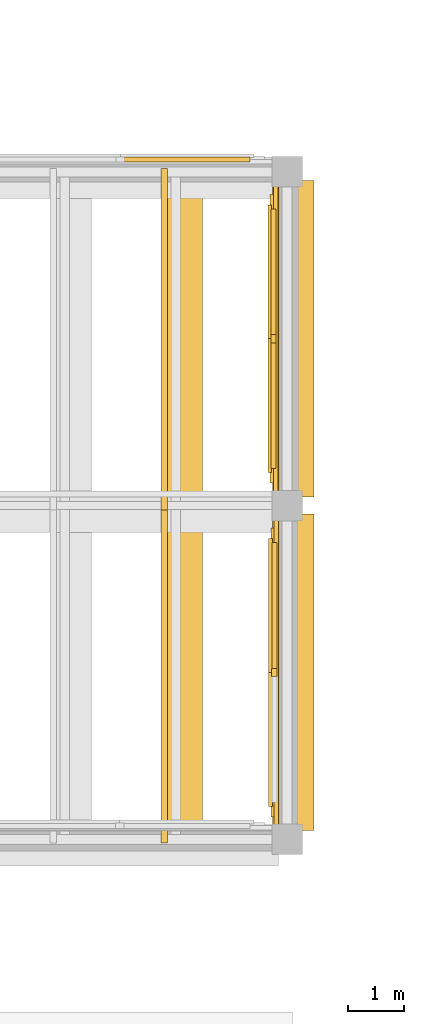
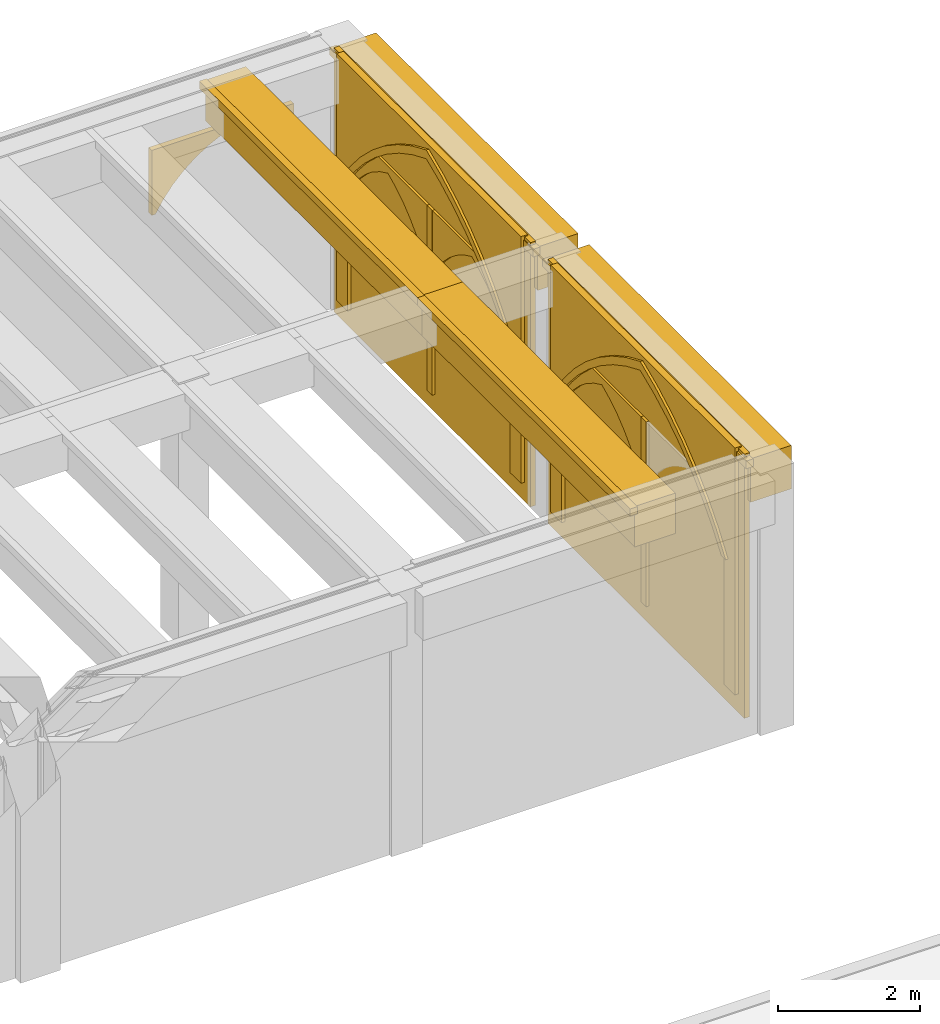
# One storey, part 127 of 127: 20 coverings.
"""IFC4 building model written with IfcOpenShell, lengths in metres."""

from ifc_helpers import new_model, si_unit, direction, frame, origin, origin_2d, place, context, subcontext, project, spatial, polyline, rectangle, outline, extrude, material, type_object, element, save


model = new_model("IFC4")

# Units and contexts
model_context = context("Model", 3, precision=1e-05, world=origin(), true_north=direction((0.0, 1.0)))
body_context = subcontext(model_context, "Body", "Model", "MODEL_VIEW")
ifc_project = project(units=[si_unit("LENGTHUNIT", "METRE"), si_unit("AREAUNIT", "SQUARE_METRE"), si_unit("VOLUMEUNIT", "CUBIC_METRE"), si_unit("PLANEANGLEUNIT", "RADIAN"), si_unit("MASSUNIT", "GRAM", prefix="KILO")], contexts=[model_context])

# Site, building, storey
site_placement = place(None, origin())
site = spatial("IfcSite", under=ifc_project, at=site_placement, CompositionType="ELEMENT")
building_placement = place(site_placement, origin())
building = spatial("IfcBuilding", under=site, at=building_placement, Name="Cumevento Cable Car Station", CompositionType="ELEMENT")
storey_placement = place(building_placement, frame((0.0, 0.0, 4.5)))
storey = spatial("IfcBuildingStorey", under=building, at=storey_placement, Name="L02", CompositionType="ELEMENT", Elevation=4.5)

# Coverings
ifc_material = material(Name="Gnaisse Facoidal Stone Ashlar 85 MPa", Category="masonry")
covering_type = type_object("IfcCoveringType", Name="Gnaisse Ashlar Cladding CV-CL01", PredefinedType="CLADDING", material=ifc_material)
covering_1_placement = place(storey_placement, frame((166.14990234375, 36.0, 3.722900390625), z_axis=(0.0, 0.0, 1.0), x_axis=(0.0, 1.0, 0.0)))
element("IfcCovering", 1, at=covering_1_placement, inside=storey, type_object=covering_type, Name="Gothic Stone Spandrel Stringcourse sc:0478", PredefinedType="CLADDING", context=body_context, shape_type="SweptSolid", body=[
    extrude(rectangle(XDim=5.68994140625, YDim=0.659912109375, at=origin_2d()), origin(), (0.0, 0.0, 1.0), 0.7470703125),
])
covering_2_placement = place(storey_placement, frame((165.79248046875, 36.0, 4.340087890625), z_axis=(0.0, 0.0, 1.0), x_axis=(0.0, 1.0, 0.0)))
element("IfcCovering", 2, at=covering_2_placement, inside=storey, type_object=covering_type, Name="Gothic Cornice Dripstone Lip sc:0478", PredefinedType="CLADDING", context=body_context, shape_type="SweptSolid", body=[
    extrude(rectangle(XDim=5.72998046875, YDim=0.114990234375, at=origin_2d()), origin(), (0.0, 0.0, 1.0), 0.1298828125),
])
covering_3_placement = place(storey_placement, frame((166.14990234375, 42.0, 3.722900390625), z_axis=(0.0, 0.0, 1.0), x_axis=(0.0, 1.0, 0.0)))
element("IfcCovering", 3, at=covering_3_placement, inside=storey, type_object=covering_type, Name="Gothic Stone Spandrel Stringcourse sc:0479", PredefinedType="CLADDING", context=body_context, shape_type="SweptSolid", body=[
    extrude(rectangle(XDim=5.68994140625, YDim=0.659912109375, at=origin_2d()), origin(), (0.0, 0.0, 1.0), 0.7470703125),
])
covering_4_placement = place(storey_placement, frame((165.79248046875, 42.0, 4.340087890625), z_axis=(0.0, 0.0, 1.0), x_axis=(0.0, 1.0, 0.0)))
element("IfcCovering", 4, at=covering_4_placement, inside=storey, type_object=covering_type, Name="Gothic Cornice Dripstone Lip sc:0479", PredefinedType="CLADDING", context=body_context, shape_type="SweptSolid", body=[
    extrude(rectangle(XDim=5.72998046875, YDim=0.114990234375, at=origin_2d()), origin(), (0.0, 0.0, 1.0), 0.1298828125),
])
covering_5_placement = place(storey_placement, frame((164.14990234375, 36.007568359375, 3.77490234375), z_axis=(0.0, 0.0, 1.0), x_axis=(0.0, 1.0, 0.0)))
element("IfcCovering", 5, at=covering_5_placement, inside=storey, type_object=covering_type, Name="Gothic Stone Spandrel Stringcourse sc:0570", PredefinedType="CLADDING", context=body_context, shape_type="SweptSolid", body=[
    extrude(rectangle(XDim=6.10107421875, YDim=0.659912109375, at=origin_2d()), origin(), (0.0, 0.0, 1.0), 0.695068359375),
])
covering_6_placement = place(storey_placement, frame((163.79248046875, 36.007568359375, 4.340087890625), z_axis=(0.0, 0.0, 1.0), x_axis=(0.0, 1.0, 0.0)))
element("IfcCovering", 6, at=covering_6_placement, inside=storey, type_object=covering_type, Name="Gothic Cornice Dripstone Lip sc:0570", PredefinedType="CLADDING", context=body_context, shape_type="SweptSolid", body=[
    extrude(rectangle(XDim=6.14111328125, YDim=0.114990234375, at=origin_2d()), origin(), (0.0, 0.0, 1.0), 0.1298828125),
])
covering_7_placement = place(storey_placement, frame((164.14990234375, 41.992431640625, 3.77490234375), z_axis=(0.0, 0.0, 1.0), x_axis=(0.0, 1.0, 0.0)))
element("IfcCovering", 7, at=covering_7_placement, inside=storey, type_object=covering_type, Name="Gothic Stone Spandrel Stringcourse sc:0571", PredefinedType="CLADDING", context=body_context, shape_type="SweptSolid", body=[
    extrude(rectangle(XDim=6.10107421875, YDim=0.659912109375, at=origin_2d()), origin(), (0.0, 0.0, 1.0), 0.695068359375),
])
covering_8_placement = place(storey_placement, frame((163.79248046875, 41.992431640625, 4.340087890625), z_axis=(0.0, 0.0, 1.0), x_axis=(0.0, 1.0, 0.0)))
element("IfcCovering", 8, at=covering_8_placement, inside=storey, type_object=covering_type, Name="Gothic Cornice Dripstone Lip sc:0571", PredefinedType="CLADDING", context=body_context, shape_type="SweptSolid", body=[
    extrude(rectangle(XDim=6.14111328125, YDim=0.114990234375, at=origin_2d()), origin(), (0.0, 0.0, 1.0), 0.1298828125),
])
covering_9_placement = place(storey_placement, frame((163.044921875, 45.0, 2.340087890625), z_axis=(0.0, 0.0, 1.0), x_axis=(1.0, 0.0, 0.0)))
element("IfcCovering", 9, at=covering_9_placement, inside=storey, type_object=covering_type, Name="Gothic Ogival Pointed-Arch Stone Spandrel blind_ogival:0097:sub:1", PredefinedType="CLADDING", context=body_context, shape_type="SweptSolid", body=[
    extrude(outline(polyline([(-0.02001953125, 0.0), (-0.02001953125, 1.115966796875), (2.2900390625, 1.115966796875), (2.2900390625, 0.0), (2.22998046875, 0.0), (2.0986328125, 0.21435546875), (1.944091796875, 0.412353515625), (1.767822265625, 0.591796875), (1.57275390625, 0.750244140625), (1.36083984375, 0.885498046875), (1.135009765625, 0.99609375), (0.9091796875, 0.885498046875), (0.697265625, 0.750244140625), (0.502197265625, 0.591796875), (0.325927734375, 0.412353515625), (0.17138671875, 0.21435546875), (0.0400390625, 0.0), (-0.02001953125, 0.0)])), frame((0.0, 0.263916015625, 0.0), z_axis=(0.0, -1.0, 0.0), x_axis=(1.0, 0.0, 0.0)), (0.0, 0.0, 1.0), 0.090087890625),
])
covering_10_placement = place(storey_placement, frame((166.0, 33.27490234375, 0.0), z_axis=(0.0, 0.0, 1.0), x_axis=(0.0, 1.0, 0.0)))
element("IfcCovering", 10, at=covering_10_placement, inside=storey, type_object=covering_type, Name="Exterior Gnaisse Stone Wall Ashlar #98", PredefinedType="CLADDING", context=body_context, shape_type="SweptSolid", body=[
    extrude(outline(polyline([(-0.0400390625, -0.02001953125), (5.489990234375, -0.02001953125), (5.489990234375, 4.52001953125), (-0.0400390625, 4.52001953125), (-0.0400390625, -0.02001953125)])), frame((0.0, 0.237548828125, 0.0), z_axis=(0.0, -1.0, 0.0), x_axis=(1.0, 0.0, 0.0)), (0.0, 0.0, 1.0), 0.0849609375),
])
placement_1 = place(storey_placement, frame((166.0, 33.455078125, 0.300048828125), z_axis=(0.0, 0.0, 1.0), x_axis=(0.0, 1.0, 0.0)))
element("IfcCovering", 11, at=placement_1, inside=storey, type_object=covering_type, Name="Gothic Ogival Pointed-Arch Stone Spandrel blind_ogival:0098", PredefinedType="CLADDING", context=body_context, shape_type="SweptSolid", body=[
    extrude(outline(polyline([(-0.050048828125, 0.0), (-0.050048828125, 4.239990234375), (5.139892578125, 4.239990234375), (5.139892578125, 0.0), (4.830078125, 0.0), (4.830078125, 2.219970703125), (4.577880859375, 2.558349609375), (4.297119140625, 2.873291015625), (3.98974609375, 3.16259765625), (3.658203125, 3.423583984375), (3.30517578125, 3.65478515625), (2.93310546875, 3.85400390625), (2.544921875, 4.02001953125), (2.156982421875, 3.85400390625), (1.784912109375, 3.65478515625), (1.431884765625, 3.423583984375), (1.100341796875, 3.16259765625), (0.79296875, 2.873291015625), (0.51220703125, 2.558349609375), (0.260009765625, 2.219970703125), (0.260009765625, 0.0), (-0.050048828125, 0.0)])), frame((0.0, 0.29248046875, 0.0), z_axis=(0.0, -1.0, 0.0), x_axis=(1.0, 0.0, 0.0)), (0.0, 0.0, 1.0), 0.110107421875),
])
covering_12_placement = place(storey_placement, frame((166.0, 33.455078125, 2.52001953125), z_axis=(0.0, 0.0, 1.0), x_axis=(0.0, 1.0, 0.0)))
element("IfcCovering", 12, at=covering_12_placement, inside=storey, type_object=covering_type, Name="Gothic Pointed Archivolt Hood Moulding blind_ogival:0098", PredefinedType="CLADDING", context=body_context, shape_type="SweptSolid", body=[
    extrude(outline(polyline([(0.260009765625, 0.0), (0.51220703125, 0.33837890625), (0.79296875, 0.6533203125), (1.100341796875, 0.942626953125), (1.431884765625, 1.20361328125), (1.784912109375, 1.434814453125), (2.156982421875, 1.634033203125), (2.544921875, 1.800048828125), (2.93310546875, 1.634033203125), (3.30517578125, 1.434814453125), (3.658203125, 1.20361328125), (3.98974609375, 0.942626953125), (4.297119140625, 0.6533203125), (4.577880859375, 0.33837890625), (4.830078125, 0.0), (4.950927734375, 0.0), (4.689453125, 0.36572265625), (4.396240234375, 0.706787109375), (4.07373046875, 1.020263671875), (3.724365234375, 1.303466796875), (3.351318359375, 1.554443359375), (2.95703125, 1.770751953125), (2.544921875, 1.951171875), (2.133056640625, 1.770751953125), (1.73876953125, 1.554443359375), (1.36572265625, 1.303466796875), (1.016357421875, 1.020263671875), (0.69384765625, 0.706787109375), (0.400634765625, 0.36572265625), (0.138916015625, 0.0), (0.260009765625, 0.0)])), frame((0.0, 0.33447265625, 0.0), z_axis=(0.0, -1.0, 0.0), x_axis=(1.0, 0.0, 0.0)), (0.0, 0.0, 1.0), 0.06689453125),
])
element("IfcCovering", 13, at=placement_1, inside=storey, type_object=covering_type, Name="Gothic Bifora Stone Colonnette blind_ogival:0098 #1", PredefinedType="CLADDING", context=body_context, shape_type="SweptSolid", body=[
    extrude(outline(polyline([(2.469970703125, -0.02001953125), (2.6201171875, -0.02001953125), (2.6201171875, 3.156005859375), (2.469970703125, 3.156005859375), (2.469970703125, -0.02001953125)])), frame((0.0, 0.280517578125, 0.0), z_axis=(0.0, -1.0, 0.0), x_axis=(1.0, 0.0, 0.0)), (0.0, 0.0, 1.0), 0.094970703125),
])
covering_14_placement = place(storey_placement, frame((166.0, 36.044921875, 2.340087890625), z_axis=(0.0, 0.0, 1.0), x_axis=(0.0, 1.0, 0.0)))
element("IfcCovering", 14, at=covering_14_placement, inside=storey, type_object=covering_type, Name="Gothic Ogival Pointed-Arch Stone Spandrel blind_ogival:0098:sub:1", PredefinedType="CLADDING", context=body_context, shape_type="SweptSolid", body=[
    extrude(outline(polyline([(-0.02001953125, 0.0), (-0.02001953125, 1.115966796875), (2.2900390625, 1.115966796875), (2.2900390625, 0.0), (2.22998046875, 0.0), (2.0986328125, 0.21435546875), (1.944091796875, 0.412353515625), (1.767822265625, 0.591796875), (1.57275390625, 0.750244140625), (1.36083984375, 0.885498046875), (1.135009765625, 0.99609375), (0.9091796875, 0.885498046875), (0.697265625, 0.750244140625), (0.502197265625, 0.591796875), (0.325927734375, 0.412353515625), (0.17138671875, 0.21435546875), (0.0400390625, 0.0), (-0.02001953125, 0.0)])), frame((0.0, 0.276611328125, 0.0), z_axis=(0.0, -1.0, 0.0), x_axis=(1.0, 0.0, 0.0)), (0.0, 0.0, 1.0), 0.090087890625),
])
covering_15_placement = place(storey_placement, frame((166.0, 39.27490234375, 0.0), z_axis=(0.0, 0.0, 1.0), x_axis=(0.0, 1.0, 0.0)))
element("IfcCovering", 15, at=covering_15_placement, inside=storey, type_object=covering_type, Name="Exterior Gnaisse Stone Wall Ashlar #99", PredefinedType="CLADDING", context=body_context, shape_type="SweptSolid", body=[
    extrude(outline(polyline([(-0.0400390625, -0.02001953125), (5.489990234375, -0.02001953125), (5.489990234375, 4.52001953125), (-0.0400390625, 4.52001953125), (-0.0400390625, -0.02001953125)])), frame((0.0, 0.25, 0.0), z_axis=(0.0, -1.0, 0.0), x_axis=(1.0, 0.0, 0.0)), (0.0, 0.0, 1.0), 0.0849609375),
])
placement_2 = place(storey_placement, frame((166.0, 39.455078125, 0.300048828125), z_axis=(0.0, 0.0, 1.0), x_axis=(0.0, 1.0, 0.0)))
element("IfcCovering", 16, at=placement_2, inside=storey, type_object=covering_type, Name="Gothic Ogival Pointed-Arch Stone Spandrel blind_ogival:0099", PredefinedType="CLADDING", context=body_context, shape_type="SweptSolid", body=[
    extrude(outline(polyline([(-0.050048828125, 0.0), (-0.050048828125, 4.239990234375), (5.139892578125, 4.239990234375), (5.139892578125, 0.0), (4.830078125, 0.0), (4.830078125, 2.219970703125), (4.577880859375, 2.558349609375), (4.297119140625, 2.873291015625), (3.98974609375, 3.16259765625), (3.658203125, 3.423583984375), (3.30517578125, 3.65478515625), (2.93310546875, 3.85400390625), (2.544921875, 4.02001953125), (2.156982421875, 3.85400390625), (1.784912109375, 3.65478515625), (1.431884765625, 3.423583984375), (1.100341796875, 3.16259765625), (0.79296875, 2.873291015625), (0.51220703125, 2.558349609375), (0.260009765625, 2.219970703125), (0.260009765625, 0.0), (-0.050048828125, 0.0)])), frame((0.0, 0.304931640625, 0.0), z_axis=(0.0, -1.0, 0.0), x_axis=(1.0, 0.0, 0.0)), (0.0, 0.0, 1.0), 0.110107421875),
])
covering_17_placement = place(storey_placement, frame((166.0, 39.455078125, 2.52001953125), z_axis=(0.0, 0.0, 1.0), x_axis=(0.0, 1.0, 0.0)))
element("IfcCovering", 17, at=covering_17_placement, inside=storey, type_object=covering_type, Name="Gothic Pointed Archivolt Hood Moulding blind_ogival:0099", PredefinedType="CLADDING", context=body_context, shape_type="SweptSolid", body=[
    extrude(outline(polyline([(0.260009765625, 0.0), (0.51220703125, 0.33837890625), (0.79296875, 0.6533203125), (1.100341796875, 0.942626953125), (1.431884765625, 1.20361328125), (1.784912109375, 1.434814453125), (2.156982421875, 1.634033203125), (2.544921875, 1.800048828125), (2.93310546875, 1.634033203125), (3.30517578125, 1.434814453125), (3.658203125, 1.20361328125), (3.98974609375, 0.942626953125), (4.297119140625, 0.6533203125), (4.577880859375, 0.33837890625), (4.830078125, 0.0), (4.950927734375, 0.0), (4.689453125, 0.36572265625), (4.396240234375, 0.706787109375), (4.07373046875, 1.020263671875), (3.724365234375, 1.303466796875), (3.351318359375, 1.554443359375), (2.95703125, 1.770751953125), (2.544921875, 1.951171875), (2.133056640625, 1.770751953125), (1.73876953125, 1.554443359375), (1.36572265625, 1.303466796875), (1.016357421875, 1.020263671875), (0.69384765625, 0.706787109375), (0.400634765625, 0.36572265625), (0.138916015625, 0.0), (0.260009765625, 0.0)])), frame((0.0, 0.346923828125, 0.0), z_axis=(0.0, -1.0, 0.0), x_axis=(1.0, 0.0, 0.0)), (0.0, 0.0, 1.0), 0.06689453125),
])
element("IfcCovering", 18, at=placement_2, inside=storey, type_object=covering_type, Name="Gothic Bifora Stone Colonnette blind_ogival:0099 #1", PredefinedType="CLADDING", context=body_context, shape_type="SweptSolid", body=[
    extrude(outline(polyline([(2.469970703125, -0.02001953125), (2.6201171875, -0.02001953125), (2.6201171875, 3.156005859375), (2.469970703125, 3.156005859375), (2.469970703125, -0.02001953125)])), frame((0.0, 0.29296875, 0.0), z_axis=(0.0, -1.0, 0.0), x_axis=(1.0, 0.0, 0.0)), (0.0, 0.0, 1.0), 0.094970703125),
])
for number, where, z_axis, x_axis, name in (
    (19, (166.0, 39.68505859375, 2.340087890625), (0.0, 0.0, 1.0), (0.0, 1.0, 0.0), "Gothic Ogival Pointed-Arch Stone Spandrel blind_ogival:0099:sub:0"),
    (20, (166.0, 42.044921875, 2.340087890625), (0.0, 0.0, 1.0), (0.0, 1.0, 0.0), "Gothic Ogival Pointed-Arch Stone Spandrel blind_ogival:0099:sub:1"),
):
    element("IfcCovering", number, at=place(storey_placement, frame(where, z_axis=z_axis, x_axis=x_axis)), inside=storey, type_object=covering_type, Name=name, PredefinedType="CLADDING", context=body_context, shape_type="SweptSolid", body=[
        extrude(outline(polyline([(-0.02001953125, 0.0), (-0.02001953125, 1.115966796875), (2.2900390625, 1.115966796875), (2.2900390625, 0.0), (2.22998046875, 0.0), (2.0986328125, 0.21435546875), (1.944091796875, 0.412353515625), (1.767822265625, 0.591796875), (1.57275390625, 0.750244140625), (1.36083984375, 0.885498046875), (1.135009765625, 0.99609375), (0.9091796875, 0.885498046875), (0.697265625, 0.750244140625), (0.502197265625, 0.591796875), (0.325927734375, 0.412353515625), (0.17138671875, 0.21435546875), (0.0400390625, 0.0), (-0.02001953125, 0.0)])), frame((0.0, 0.2890625, 0.0), z_axis=(0.0, -1.0, 0.0), x_axis=(1.0, 0.0, 0.0)), (0.0, 0.0, 1.0), 0.090087890625),
    ])

save(model, "model.ifc")
